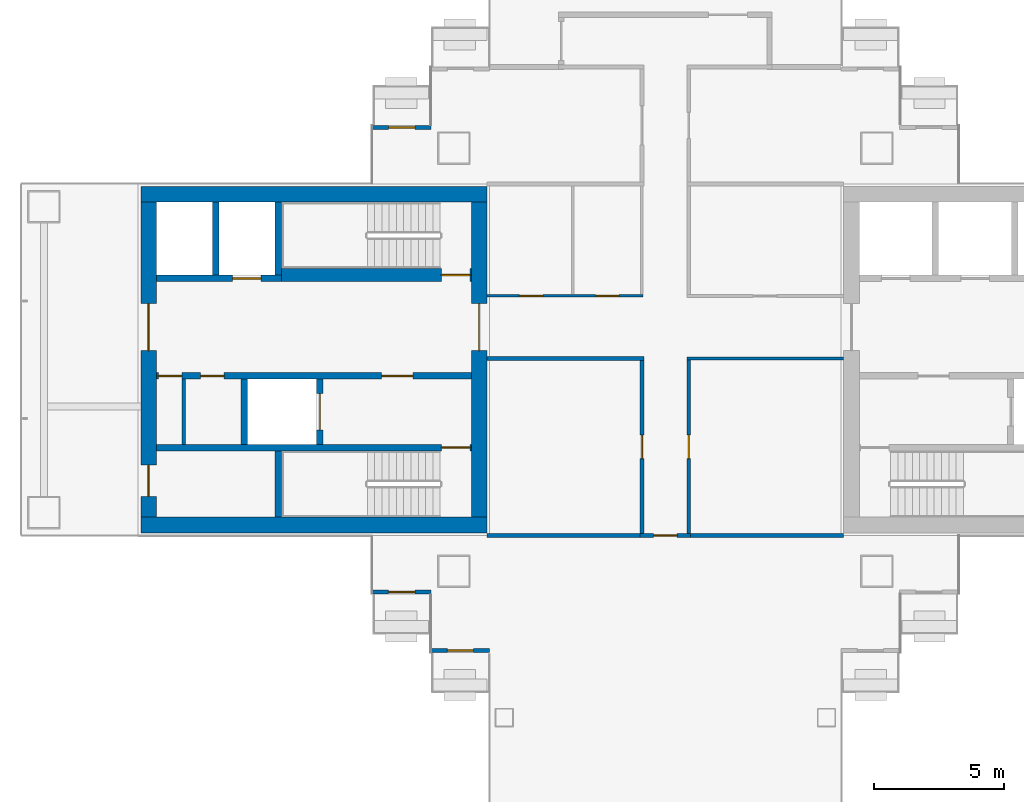
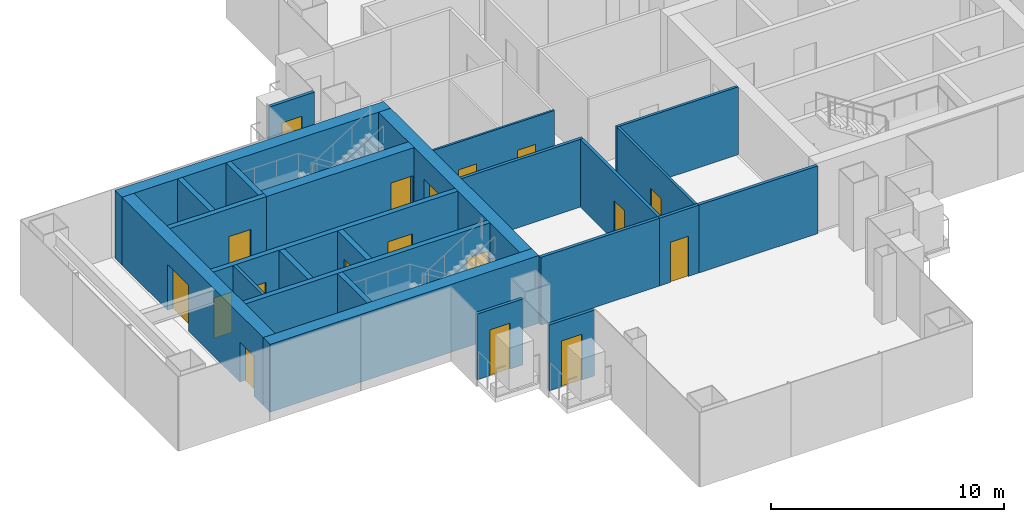
# One storey, part 12 of 20: 25 walls, 18 doors, 18 openings.
"""IFC4 building model written with IfcOpenShell, lengths in metres."""

from ifc_helpers import new_model, si_unit, direction, frame, frame_2d, origin, place, context, subcontext, project, spatial, rectangle, extrude, material, layer, layer_set, type_object, element, fill, save


model = new_model("IFC4")

# Units and contexts
model_context = context("Model", 3, precision=1e-05, world=origin(), true_north=direction((0.0, 1.0)))
body_context = subcontext(model_context, "Body", "Model", "MODEL_VIEW")
ifc_project = project(units=[si_unit("LENGTHUNIT", "METRE"), si_unit("AREAUNIT", "SQUARE_METRE"), si_unit("VOLUMEUNIT", "CUBIC_METRE"), si_unit("PLANEANGLEUNIT", "RADIAN"), si_unit("MASSUNIT", "GRAM", prefix="KILO")], contexts=[model_context])

# Site, building, storey
site_placement = place(None, origin())
site = spatial("IfcSite", under=ifc_project, at=site_placement, CompositionType="ELEMENT")
building_placement = place(site_placement, origin())
building = spatial("IfcBuilding", under=site, at=building_placement, Name="Shamsa Quay Exchange Towers", CompositionType="ELEMENT")
storey_placement = place(building_placement, frame((0.0, 0.0, 120.89990234375)))
storey = spatial("IfcBuildingStorey", under=building, at=storey_placement, Name="L28", CompositionType="ELEMENT", Elevation=120.89990234375)

# Wall, opening, door
ifc_material_1 = material(Name="Aluminium EN AW-6063 T6, black anodised, with black enamelled glass infill", Category="aluminium")
ifc_layer_1 = layer(ifc_material_1, 0.14990234375)
ifc_layer_set_1 = layer_set([ifc_layer_1], Name="BALCONY DOOR BAY WALL 150")
wall_type_1 = type_object("IfcWallType", Name="BALCONY DOOR BAY WALL 150", PredefinedType="SOLIDWALL", material=ifc_layer_set_1)
wall_1_placement = place(storey_placement, frame((-45.0, 8.925048828125, 0.0)))
wall_1 = element("IfcWall", 1, at=wall_1_placement, inside=storey, type_object=wall_type_1, Name="Door bay T1-PKWN L28", PredefinedType="SOLIDWALL", context=body_context, shape_type="SweptSolid", body=[
    extrude(rectangle(XDim=2.25, YDim=0.14990234375, at=frame_2d((1.125, 0.0))), origin(), (0.0, 0.0, 1.0), 3.4501953125),
])
opening_1_placement = place(wall_1_placement, frame((0.625, 0.0, 0.0)))
opening_1 = element("IfcOpeningElement", 2, at=opening_1_placement, cuts=wall_1, Name="Opening XD174", PredefinedType="OPENING", context=body_context, shape_type="SweptSolid", body=[
    extrude(rectangle(XDim=1.0, YDim=2.39990234375, at=frame_2d((0.5, 1.199951171875))), frame((0.0, 0.0849609375, 0.0), z_axis=(0.0, -1.0, 0.0), x_axis=(1.0, 0.0, 0.0)), (0.0, 0.0, 1.0), 0.169921875),
])
ifc_material_2 = material(Name="Aluminium EN AW-6063 T6, black anodised, with laminated glass leaf", Category="aluminium")
door_type_1 = type_object("IfcDoorType", Name="BALCONY DOOR 1000x2400", OperationType="SINGLE_SWING_LEFT", PredefinedType="DOOR", material=ifc_material_2)
door_1_placement = place(opening_1_placement, origin())
door_1 = element("IfcDoor", 3, at=door_1_placement, inside=storey, type_object=door_type_1, Name="Balcony door T1-PKWN L28", OperationType="SINGLE_SWING_RIGHT", OverallHeight=2.39990234375, OverallWidth=1.0, PredefinedType="DOOR", context=body_context, shape_type="SweptSolid", body=[
    extrude(rectangle(XDim=1.0, YDim=2.39990234375, at=frame_2d((0.5, 1.199951171875))), frame((0.0, 0.02490234375, 0.0), z_axis=(0.0, -1.0, 0.0), x_axis=(1.0, 0.0, 0.0)), (0.0, 0.0, 1.0), 0.050048828125),
])
fill(opening_1, door_1)

wall_2_placement = place(storey_placement, frame((-42.75, -8.925048828125, 0.0), z_axis=(0.0, 0.0, 1.0), x_axis=(-1.0, 0.0, 0.0)))
wall_2 = element("IfcWall", 4, at=wall_2_placement, inside=storey, type_object=wall_type_1, Name="Door bay T1-PKWS L28", PredefinedType="SOLIDWALL", context=body_context, shape_type="SweptSolid", body=[
    extrude(rectangle(XDim=2.25, YDim=0.14990234375, at=frame_2d((1.125, 0.0))), origin(), (0.0, 0.0, 1.0), 3.4501953125),
])
opening_2_placement = place(wall_2_placement, frame((0.625, 0.0, 0.0)))
opening_2 = element("IfcOpeningElement", 5, at=opening_2_placement, cuts=wall_2, Name="Opening XD175", PredefinedType="OPENING", context=body_context, shape_type="SweptSolid", body=[
    extrude(rectangle(XDim=1.0, YDim=2.39990234375, at=frame_2d((0.5, 1.199951171875))), frame((0.0, 0.0849609375, 0.0), z_axis=(0.0, -1.0, 0.0), x_axis=(1.0, 0.0, 0.0)), (0.0, 0.0, 1.0), 0.169921875),
])
door_2_placement = place(opening_2_placement, origin())
door_2 = element("IfcDoor", 6, at=door_2_placement, inside=storey, type_object=door_type_1, Name="Balcony door T1-PKWS L28", OperationType="SINGLE_SWING_LEFT", OverallHeight=2.39990234375, OverallWidth=1.0, PredefinedType="DOOR", context=body_context, shape_type="SweptSolid", body=[
    extrude(rectangle(XDim=1.0, YDim=2.39990234375, at=frame_2d((0.5, 1.199951171875))), frame((0.0, 0.02490234375, 0.0), z_axis=(0.0, -1.0, 0.0), x_axis=(1.0, 0.0, 0.0)), (0.0, 0.0, 1.0), 0.050048828125),
])
fill(opening_2, door_2)

wall_3_placement = place(storey_placement, frame((-40.5, -11.175048828125, 0.0), z_axis=(0.0, 0.0, 1.0), x_axis=(-1.0, 0.0, 0.0)))
wall_3 = element("IfcWall", 7, at=wall_3_placement, inside=storey, type_object=wall_type_1, Name="Door bay T1-PKWS L28", PredefinedType="SOLIDWALL", context=body_context, shape_type="SweptSolid", body=[
    extrude(rectangle(XDim=2.25, YDim=0.14990234375, at=frame_2d((1.125, 0.0))), origin(), (0.0, 0.0, 1.0), 3.4501953125),
])
opening_3_placement = place(wall_3_placement, frame((0.625, 0.0, 0.0)))
opening_3 = element("IfcOpeningElement", 8, at=opening_3_placement, cuts=wall_3, Name="Opening XD176", PredefinedType="OPENING", context=body_context, shape_type="SweptSolid", body=[
    extrude(rectangle(XDim=1.0, YDim=2.39990234375, at=frame_2d((0.5, 1.199951171875))), frame((0.0, 0.0849609375, 0.0), z_axis=(0.0, -1.0, 0.0), x_axis=(1.0, 0.0, 0.0)), (0.0, 0.0, 1.0), 0.169921875),
])
door_3_placement = place(opening_3_placement, origin())
door_3 = element("IfcDoor", 9, at=door_3_placement, inside=storey, type_object=door_type_1, Name="Balcony door T1-PKWS L28", OperationType="SINGLE_SWING_RIGHT", OverallHeight=2.39990234375, OverallWidth=1.0, PredefinedType="DOOR", context=body_context, shape_type="SweptSolid", body=[
    extrude(rectangle(XDim=1.0, YDim=2.39990234375, at=frame_2d((0.5, 1.199951171875))), frame((0.0, 0.02490234375, 0.0), z_axis=(0.0, -1.0, 0.0), x_axis=(1.0, 0.0, 0.0)), (0.0, 0.0, 1.0), 0.050048828125),
])
fill(opening_3, door_3)

# Walls
ifc_material_3 = material(Name="Concrete C70/85", Category="concrete")
ifc_layer_2 = layer(ifc_material_3, 0.60009765625)
ifc_layer_set_2 = layer_set([ifc_layer_2], Name="CORE WALL 600 C70/85")
wall_type_2 = type_object("IfcWallType", Name="CORE WALL 600 C70/85", PredefinedType="SHEAR", material=ifc_layer_set_2)
for number, where, z_axis, x_axis, name in (
    (10, (-40.60009765625, -6.35009765625, 0.0), (0.0, 0.0, 1.0), (-1.0, 0.0, 0.0), "Core wall T1B-R13-PS"),
    (11, (-40.60009765625, 6.35009765625, 0.0), (0.0, 0.0, 1.0), (-1.0, 0.0, 0.0), "Core wall T1B-R13-PN"),
):
    element("IfcWall", number, at=place(storey_placement, frame(where, z_axis=z_axis, x_axis=x_axis)), inside=storey, type_object=wall_type_2, Name=name, PredefinedType="SHEAR", context=body_context, shape_type="SweptSolid", body=[
        extrude(rectangle(XDim=13.2998046875, YDim=0.60009765625, at=frame_2d((6.64990234375, 0.0))), origin(), (0.0, 0.0, 1.0), 3.550048828125),
    ])

# Wall, opening, door
wall_4_placement = place(storey_placement, frame((-40.89990234375, -6.050048828125, 0.0), z_axis=(0.0, 0.0, 1.0), x_axis=(0.0, 1.0, 0.0)))
wall_4 = element("IfcWall", 12, at=wall_4_placement, inside=storey, type_object=wall_type_2, Name="Core wall T1B-R13-PF", PredefinedType="SHEAR", context=body_context, shape_type="SweptSolid", body=[
    extrude(rectangle(XDim=12.10009765625, YDim=0.60009765625, at=frame_2d((6.050048828125, 0.0))), origin(), (0.0, 0.0, 1.0), 3.550048828125),
])
opening_4_placement = place(wall_4_placement, frame((6.39990234375, 0.0, 0.0)))
opening_4 = element("IfcOpeningElement", 13, at=opening_4_placement, cuts=wall_4, Name="Opening T1B-R13-LBD01", PredefinedType="OPENING", context=body_context, shape_type="SweptSolid", body=[
    extrude(rectangle(XDim=1.800048828125, YDim=2.39990234375, at=frame_2d((0.89990234375, 1.199951171875))), frame((0.0, 0.31005859375, 0.0), z_axis=(0.0, -1.0, 0.0), x_axis=(1.0, 0.0, 0.0)), (0.0, 0.0, 1.0), 0.6201171875),
])
ifc_material_4 = material(Name="Steel, fire rated", Category="steel")
door_type_2 = type_object("IfcDoorType", Name="LIFT LOBBY DOOR PAIR 1800", OperationType="DOUBLE_DOOR_SINGLE_SWING", PredefinedType="DOOR", material=ifc_material_4)
door_4_placement = place(opening_4_placement, origin())
door_4 = element("IfcDoor", 14, at=door_4_placement, inside=storey, type_object=door_type_2, Name="T1B-R13-LBD01", OperationType="DOUBLE_DOOR_SINGLE_SWING", OverallHeight=2.39990234375, OverallWidth=1.800048828125, PredefinedType="DOOR", context=body_context, shape_type="SweptSolid", body=[
    extrude(rectangle(XDim=1.800048828125, YDim=2.39990234375, at=frame_2d((0.89990234375, 1.199951171875))), frame((0.0, 0.02490234375, 0.0), z_axis=(0.0, -1.0, 0.0), x_axis=(1.0, 0.0, 0.0)), (0.0, 0.0, 1.0), 0.050048828125),
])
fill(opening_4, door_4)

# Wall, openings, doors
wall_5_placement = place(storey_placement, frame((-53.60009765625, -6.050048828125, 0.0), z_axis=(0.0, 0.0, 1.0), x_axis=(0.0, 1.0, 0.0)))
wall_5 = element("IfcWall", 15, at=wall_5_placement, inside=storey, type_object=wall_type_2, Name="Core wall T1B-R13-PB", PredefinedType="SHEAR", context=body_context, shape_type="SweptSolid", body=[
    extrude(rectangle(XDim=12.10009765625, YDim=0.60009765625, at=frame_2d((6.050048828125, 0.0))), origin(), (0.0, 0.0, 1.0), 3.550048828125),
])
opening_5_placement = place(wall_5_placement, frame((0.800048828125, 0.0, 0.0)))
opening_5 = element("IfcOpeningElement", 16, at=opening_5_placement, cuts=wall_5, Name="Opening T1B-R13-RD02", PredefinedType="OPENING", context=body_context, shape_type="SweptSolid", body=[
    extrude(rectangle(XDim=1.199951171875, YDim=2.10009765625, at=frame_2d((0.60009765625, 1.050048828125))), frame((0.0, 0.31005859375, 0.0), z_axis=(0.0, -1.0, 0.0), x_axis=(1.0, 0.0, 0.0)), (0.0, 0.0, 1.0), 0.6201171875),
])
opening_6_placement = place(wall_5_placement, frame((6.39990234375, 0.0, 0.0)))
opening_6 = element("IfcOpeningElement", 17, at=opening_6_placement, cuts=wall_5, Name="Opening T1B-R13-LBD03", PredefinedType="OPENING", context=body_context, shape_type="SweptSolid", body=[
    extrude(rectangle(XDim=1.800048828125, YDim=2.39990234375, at=frame_2d((0.89990234375, 1.199951171875))), frame((0.0, 0.31005859375, 0.0), z_axis=(0.0, -1.0, 0.0), x_axis=(1.0, 0.0, 0.0)), (0.0, 0.0, 1.0), 0.6201171875),
])
door_5_placement = place(opening_6_placement, origin())
door_5 = element("IfcDoor", 18, at=door_5_placement, inside=storey, type_object=door_type_2, Name="T1B-R13-LBD03", OperationType="DOUBLE_DOOR_SINGLE_SWING", OverallHeight=2.39990234375, OverallWidth=1.800048828125, PredefinedType="DOOR", context=body_context, shape_type="SweptSolid", body=[
    extrude(rectangle(XDim=1.800048828125, YDim=2.39990234375, at=frame_2d((0.89990234375, 1.199951171875))), frame((0.0, 0.02490234375, 0.0), z_axis=(0.0, -1.0, 0.0), x_axis=(1.0, 0.0, 0.0)), (0.0, 0.0, 1.0), 0.050048828125),
])
fill(opening_6, door_5)
door_type_3 = type_object("IfcDoorType", Name="RISER ACCESS DOOR 1200", OperationType="SINGLE_SWING_LEFT", PredefinedType="DOOR", material=ifc_material_4)
door_6_placement = place(opening_5_placement, origin())
door_6 = element("IfcDoor", 19, at=door_6_placement, inside=storey, type_object=door_type_3, Name="T1B-R13-RD02", OperationType="SINGLE_SWING_LEFT", OverallHeight=2.10009765625, OverallWidth=1.199951171875, PredefinedType="DOOR", context=body_context, shape_type="SweptSolid", body=[
    extrude(rectangle(XDim=1.199951171875, YDim=2.10009765625, at=frame_2d((0.60009765625, 1.050048828125))), frame((0.0, 0.02490234375, 0.0), z_axis=(0.0, -1.0, 0.0), x_axis=(1.0, 0.0, 0.0)), (0.0, 0.0, 1.0), 0.050048828125),
])
fill(opening_5, door_6)

# Wall
ifc_material_5 = material(Name="Gypsum board on steel studs, EI 60", Category="steel")
ifc_layer_3 = layer(ifc_material_5, 0.14990234375)
ifc_layer_set_3 = layer_set([ifc_layer_3], Name="FIRE PARTITION 150")
wall_type_3 = type_object("IfcWallType", Name="FIRE PARTITION 150", PredefinedType="PARTITIONING", material=ifc_layer_set_3)
wall_6_placement = place(storey_placement, frame((-52.25, -3.25, 0.0), z_axis=(0.0, 0.0, 1.0), x_axis=(0.0, 1.0, 0.0)))
element("IfcWall", 20, at=wall_6_placement, inside=storey, type_object=wall_type_3, Name="Partition T1B-R13-EC0", PredefinedType="PARTITIONING", context=body_context, shape_type="SweptSolid", body=[
    extrude(rectangle(XDim=2.5, YDim=0.14990234375, at=frame_2d((1.25, 0.0))), origin(), (0.0, 0.0, 1.0), 3.550048828125),
])

# Wall, opening, door
ifc_material_6 = material(Name="Laminated fire-resisting glass in a metal frame", Category="glass")
ifc_layer_4 = layer(ifc_material_6, 0.125)
ifc_layer_set_4 = layer_set([ifc_layer_4], Name="Glazed partition 125 mm EI 60")
wall_type_4 = type_object("IfcWallType", Name="Glazed partition 125 mm EI 60", PredefinedType="PARTITIONING", material=ifc_layer_set_4)
wall_7_placement = place(storey_placement, frame((-32.849609375, -0.0126953125, 0.0), z_axis=(0.0, 0.0, 1.0), x_axis=(0.0, -1.0, 0.0)))
wall_7 = element("IfcWall", 21, at=wall_7_placement, inside=storey, type_object=wall_type_4, Name="Partition T1-R13-W02", PredefinedType="PARTITIONING", context=body_context, shape_type="SweptSolid", body=[
    extrude(rectangle(XDim=6.662353515625, YDim=0.125, at=frame_2d((3.3310546875, 0.0))), origin(), (0.0, 0.0, 1.0), 3.550048828125),
])
opening_7_placement = place(wall_7_placement, frame((2.887451171875, 0.0, 0.0)))
opening_7 = element("IfcOpeningElement", 22, at=opening_7_placement, cuts=wall_7, Name="Opening T1-R13-D07", PredefinedType="OPENING", context=body_context, shape_type="SweptSolid", body=[
    extrude(rectangle(XDim=0.89990234375, YDim=2.10009765625, at=frame_2d((0.449951171875, 1.050048828125))), frame((0.0, 0.072509765625, 0.0), z_axis=(0.0, -1.0, 0.0), x_axis=(1.0, 0.0, 0.0)), (0.0, 0.0, 1.0), 0.14501953125),
])
ifc_material_7 = material(Name="Timber door leaf in a metal frame", Category="wood")
door_type_4 = type_object("IfcDoorType", Name="Door 900x2100 FD30S", OperationType="NOTDEFINED", PredefinedType="DOOR", material=ifc_material_7)
door_7_placement = place(opening_7_placement, origin())
door_7 = element("IfcDoor", 23, at=door_7_placement, inside=storey, type_object=door_type_4, Name="Door T1-R13-D07", OperationType="SINGLE_SWING_LEFT", OverallHeight=2.10009765625, OverallWidth=0.89990234375, PredefinedType="DOOR", context=body_context, shape_type="SweptSolid", body=[
    extrude(rectangle(XDim=0.89990234375, YDim=2.10009765625, at=frame_2d((0.449951171875, 1.050048828125))), frame((0.0, 0.02490234375, 0.0), z_axis=(0.0, -1.0, 0.0), x_axis=(1.0, 0.0, 0.0)), (0.0, 0.0, 1.0), 0.050048828125),
])
fill(opening_7, door_7)

# Wall
wall_8_placement = place(storey_placement, frame((-26.89990234375, 0.0498046875, 0.0), z_axis=(0.0, 0.0, 1.0), x_axis=(-1.0, 0.0, 0.0)))
element("IfcWall", 24, at=wall_8_placement, inside=storey, type_object=wall_type_4, Name="Partition T1-R13-W04", PredefinedType="PARTITIONING", context=body_context, shape_type="SweptSolid", body=[
    extrude(rectangle(XDim=6.01220703125, YDim=0.125, at=frame_2d((3.006103515625, 0.0))), origin(), (0.0, 0.0, 1.0), 3.550048828125),
])

# Wall, openings, doors
ifc_material_8 = material(Name="Gypsum board partition on metal studs")
ifc_layer_5 = layer(ifc_material_8, 0.10009765625)
ifc_layer_set_5 = layer_set([ifc_layer_5], Name="Partition 100 mm NOT RATED")
wall_type_5 = type_object("IfcWallType", Name="Partition 100 mm NOT RATED", PredefinedType="PARTITIONING", material=ifc_layer_set_5)
wall_9_placement = place(storey_placement, frame((-40.60009765625, 2.4501953125, 0.0)))
wall_9 = element("IfcWall", 25, at=wall_9_placement, inside=storey, type_object=wall_type_5, Name="Partition T1-R13-W05", PredefinedType="PARTITIONING", context=body_context, shape_type="SweptSolid", body=[
    extrude(rectangle(XDim=5.999755859375, YDim=0.10009765625, at=frame_2d((3.0, 0.0))), origin(), (0.0, 0.0, 1.0), 3.550048828125),
])
opening_8_placement = place(wall_9_placement, frame((1.24365234375, 0.0, 0.0)))
opening_8 = element("IfcOpeningElement", 26, at=opening_8_placement, cuts=wall_9, Name="Opening T1-R13-D01", PredefinedType="OPENING", context=body_context, shape_type="SweptSolid", body=[
    extrude(rectangle(XDim=0.89990234375, YDim=2.10009765625, at=frame_2d((0.449951171875, 1.050048828125))), frame((0.0, 0.06005859375, 0.0), z_axis=(0.0, -1.0, 0.0), x_axis=(1.0, 0.0, 0.0)), (0.0, 0.0, 1.0), 0.1201171875),
])
opening_9_placement = place(wall_9_placement, frame((4.16845703125, 0.0, 0.0)))
opening_9 = element("IfcOpeningElement", 27, at=opening_9_placement, cuts=wall_9, Name="Opening T1-R13-D02", PredefinedType="OPENING", context=body_context, shape_type="SweptSolid", body=[
    extrude(rectangle(XDim=0.89990234375, YDim=2.10009765625, at=frame_2d((0.449951171875, 1.050048828125))), frame((0.0, 0.06005859375, 0.0), z_axis=(0.0, -1.0, 0.0), x_axis=(1.0, 0.0, 0.0)), (0.0, 0.0, 1.0), 0.1201171875),
])
door_type_5 = type_object("IfcDoorType", Name="Door 900x2100 NOT RATED", OperationType="NOTDEFINED", PredefinedType="DOOR", material=ifc_material_7)
door_8_placement = place(opening_8_placement, origin())
door_8 = element("IfcDoor", 28, at=door_8_placement, inside=storey, type_object=door_type_5, Name="Door T1-R13-D01", OperationType="SINGLE_SWING_LEFT", OverallHeight=2.10009765625, OverallWidth=0.89990234375, PredefinedType="DOOR", context=body_context, shape_type="SweptSolid", body=[
    extrude(rectangle(XDim=0.89990234375, YDim=2.10009765625, at=frame_2d((0.449951171875, 1.050048828125))), frame((0.0, 0.02490234375, 0.0), z_axis=(0.0, -1.0, 0.0), x_axis=(1.0, 0.0, 0.0)), (0.0, 0.0, 1.0), 0.050048828125),
])
fill(opening_8, door_8)
door_9_placement = place(opening_9_placement, origin())
door_9 = element("IfcDoor", 29, at=door_9_placement, inside=storey, type_object=door_type_5, Name="Door T1-R13-D02", OperationType="SINGLE_SWING_LEFT", OverallHeight=2.10009765625, OverallWidth=0.89990234375, PredefinedType="DOOR", context=body_context, shape_type="SweptSolid", body=[
    extrude(rectangle(XDim=0.89990234375, YDim=2.10009765625, at=frame_2d((0.449951171875, 1.050048828125))), frame((0.0, 0.02490234375, 0.0), z_axis=(0.0, -1.0, 0.0), x_axis=(1.0, 0.0, 0.0)), (0.0, 0.0, 1.0), 0.050048828125),
])
fill(opening_9, door_9)

# Wall, opening, door
ifc_layer_6 = layer(ifc_material_8, 0.14990234375)
ifc_layer_set_6 = layer_set([ifc_layer_6], Name="Partition 150 mm EI 60")
wall_type_6 = type_object("IfcWallType", Name="Partition 150 mm EI 60", PredefinedType="PARTITIONING", material=ifc_layer_set_6)
wall_10_placement = place(storey_placement, frame((-34.650390625, -6.675048828125, 0.0), z_axis=(0.0, 0.0, 1.0), x_axis=(0.0, 1.0, 0.0)))
wall_10 = element("IfcWall", 30, at=wall_10_placement, inside=storey, type_object=wall_type_6, Name="Partition T1-R13-W07", PredefinedType="PARTITIONING", context=body_context, shape_type="SweptSolid", body=[
    extrude(rectangle(XDim=6.64990234375, YDim=0.14990234375, at=frame_2d((3.324951171875, 0.0))), origin(), (0.0, 0.0, 1.0), 3.550048828125),
])
opening_10_placement = place(wall_10_placement, frame((2.875, 0.0, 0.0)))
opening_10 = element("IfcOpeningElement", 31, at=opening_10_placement, cuts=wall_10, Name="Opening T1-R13-D04", PredefinedType="OPENING", context=body_context, shape_type="SweptSolid", body=[
    extrude(rectangle(XDim=0.89990234375, YDim=2.10009765625, at=frame_2d((0.449951171875, 1.050048828125))), frame((0.0, 0.0849609375, 0.0), z_axis=(0.0, -1.0, 0.0), x_axis=(1.0, 0.0, 0.0)), (0.0, 0.0, 1.0), 0.169921875),
])
door_10_placement = place(opening_10_placement, origin())
door_10 = element("IfcDoor", 32, at=door_10_placement, inside=storey, type_object=door_type_4, Name="Door T1-R13-D04", OperationType="SINGLE_SWING_RIGHT", OverallHeight=2.10009765625, OverallWidth=0.89990234375, PredefinedType="DOOR", context=body_context, shape_type="SweptSolid", body=[
    extrude(rectangle(XDim=0.89990234375, YDim=2.10009765625, at=frame_2d((0.449951171875, 1.050048828125))), frame((0.0, 0.02490234375, 0.0), z_axis=(0.0, -1.0, 0.0), x_axis=(1.0, 0.0, 0.0)), (0.0, 0.0, 1.0), 0.050048828125),
])
fill(opening_10, door_10)

# Wall
wall_11_placement = place(storey_placement, frame((-34.575439453125, 0.0498046875, 0.0), z_axis=(0.0, 0.0, 1.0), x_axis=(-1.0, 0.0, 0.0)))
element("IfcWall", 33, at=wall_11_placement, inside=storey, type_object=wall_type_6, Name="Partition T1-R13-W09", PredefinedType="PARTITIONING", context=body_context, shape_type="SweptSolid", body=[
    extrude(rectangle(XDim=6.024658203125, YDim=0.14990234375, at=frame_2d((3.01220703125, 0.0))), origin(), (0.0, 0.0, 1.0), 3.550048828125),
])

# Wall, opening, door
wall_12_placement = place(storey_placement, frame((-32.787109375, -6.75, 0.0), z_axis=(0.0, 0.0, 1.0), x_axis=(-1.0, 0.0, 0.0)))
wall_12 = element("IfcWall", 34, at=wall_12_placement, inside=storey, type_object=wall_type_6, Name="Partition T1-R13-W16", PredefinedType="PARTITIONING", context=body_context, shape_type="SweptSolid", body=[
    extrude(rectangle(XDim=1.938232421875, YDim=0.14990234375, at=frame_2d((0.96923828125, 0.0))), origin(), (0.0, 0.0, 1.0), 3.550048828125),
])
opening_11_placement = place(wall_12_placement, frame((0.512939453125, 0.0, 0.0)))
opening_11 = element("IfcOpeningElement", 35, at=opening_11_placement, cuts=wall_12, Name="Opening T1-R13-D06", PredefinedType="OPENING", context=body_context, shape_type="SweptSolid", body=[
    extrude(rectangle(XDim=0.89990234375, YDim=2.10009765625, at=frame_2d((0.449951171875, 1.050048828125))), frame((0.0, 0.0849609375, 0.0), z_axis=(0.0, -1.0, 0.0), x_axis=(1.0, 0.0, 0.0)), (0.0, 0.0, 1.0), 0.169921875),
])
door_11_placement = place(opening_11_placement, origin())
door_11 = element("IfcDoor", 36, at=door_11_placement, inside=storey, type_object=door_type_4, Name="Door T1-R13-D06", OperationType="SINGLE_SWING_RIGHT", OverallHeight=2.10009765625, OverallWidth=0.89990234375, PredefinedType="DOOR", context=body_context, shape_type="SweptSolid", body=[
    extrude(rectangle(XDim=0.89990234375, YDim=2.10009765625, at=frame_2d((0.449951171875, 1.050048828125))), frame((0.0, 0.02490234375, 0.0), z_axis=(0.0, -1.0, 0.0), x_axis=(1.0, 0.0, 0.0)), (0.0, 0.0, 1.0), 0.050048828125),
])
fill(opening_11, door_11)

# Walls
wall_13_placement = place(storey_placement, frame((-40.60009765625, -6.75, 0.0)))
element("IfcWall", 37, at=wall_13_placement, inside=storey, type_object=wall_type_6, Name="Partition T1-R13-W20", PredefinedType="PARTITIONING", context=body_context, shape_type="SweptSolid", body=[
    extrude(rectangle(XDim=6.024658203125, YDim=0.14990234375, at=frame_2d((3.01220703125, 0.0))), origin(), (0.0, 0.0, 1.0), 3.550048828125),
])
wall_14_placement = place(storey_placement, frame((-32.912109375, -6.75, 0.0)))
element("IfcWall", 38, at=wall_14_placement, inside=storey, type_object=wall_type_6, Name="Partition T1-R13-W21", PredefinedType="PARTITIONING", context=body_context, shape_type="SweptSolid", body=[
    extrude(rectangle(XDim=6.01220703125, YDim=0.14990234375, at=frame_2d((3.006103515625, 0.0))), origin(), (0.0, 0.0, 1.0), 3.550048828125),
])

# Wall, opening, door
ifc_material_9 = material(Name="Concrete C50/60", Category="concrete")
ifc_layer_7 = layer(ifc_material_9, 0.25)
ifc_layer_set_7 = layer_set([ifc_layer_7], Name="SHAFT WALL 250 C50/60")
wall_type_7 = type_object("IfcWallType", Name="SHAFT WALL 250 C50/60", PredefinedType="SHEAR", material=ifc_layer_set_7)
wall_15_placement = place(storey_placement, frame((-41.199951171875, -3.375, 0.0), z_axis=(0.0, 0.0, 1.0), x_axis=(-1.0, 0.0, 0.0)))
wall_15 = element("IfcWall", 39, at=wall_15_placement, inside=storey, type_object=wall_type_7, Name="Shaft wall T1B-R13-STL", PredefinedType="SHEAR", context=body_context, shape_type="SweptSolid", body=[
    extrude(rectangle(XDim=12.10009765625, YDim=0.25, at=frame_2d((6.050048828125, 0.0))), origin(), (0.0, 0.0, 1.0), 3.550048828125),
])
opening_12_placement = place(wall_15_placement, frame((0.050048828125, 0.0, 0.0)))
opening_12 = element("IfcOpeningElement", 40, at=opening_12_placement, cuts=wall_15, Name="Opening T1B-R13-SD04", PredefinedType="OPENING", context=body_context, shape_type="SweptSolid", body=[
    extrude(rectangle(XDim=1.10009765625, YDim=2.10009765625, at=frame_2d((0.550048828125, 1.050048828125))), frame((0.0, 0.135009765625, 0.0), z_axis=(0.0, -1.0, 0.0), x_axis=(1.0, 0.0, 0.0)), (0.0, 0.0, 1.0), 0.27001953125),
])
door_type_6 = type_object("IfcDoorType", Name="STAIR DOOR 1100", OperationType="SINGLE_SWING_LEFT", PredefinedType="DOOR", material=ifc_material_4)
door_12_placement = place(opening_12_placement, origin())
door_12 = element("IfcDoor", 41, at=door_12_placement, inside=storey, type_object=door_type_6, Name="T1B-R13-SD04", OperationType="SINGLE_SWING_LEFT", OverallHeight=2.10009765625, OverallWidth=1.10009765625, PredefinedType="DOOR", context=body_context, shape_type="SweptSolid", body=[
    extrude(rectangle(XDim=1.10009765625, YDim=2.10009765625, at=frame_2d((0.550048828125, 1.050048828125))), frame((0.0, 0.02490234375, 0.0), z_axis=(0.0, -1.0, 0.0), x_axis=(1.0, 0.0, 0.0)), (0.0, 0.0, 1.0), 0.050048828125),
])
fill(opening_12, door_12)

# Wall
wall_16_placement = place(storey_placement, frame((-48.625, -6.050048828125, 0.0), z_axis=(0.0, 0.0, 1.0), x_axis=(0.0, 1.0, 0.0)))
element("IfcWall", 42, at=wall_16_placement, inside=storey, type_object=wall_type_7, Name="Shaft wall T1B-R13-STF", PredefinedType="SHEAR", context=body_context, shape_type="SweptSolid", body=[
    extrude(rectangle(XDim=2.550048828125, YDim=0.25, at=frame_2d((1.27490234375, 0.0))), origin(), (0.0, 0.0, 1.0), 3.550048828125),
])

# Wall, openings, doors
wall_17_placement = place(storey_placement, frame((-41.199951171875, -0.625, 0.0), z_axis=(0.0, 0.0, 1.0), x_axis=(-1.0, 0.0, 0.0)))
wall_17 = element("IfcWall", 43, at=wall_17_placement, inside=storey, type_object=wall_type_7, Name="Shaft wall T1B-R13-B", PredefinedType="SHEAR", context=body_context, shape_type="SweptSolid", body=[
    extrude(rectangle(XDim=12.10009765625, YDim=0.25, at=frame_2d((6.050048828125, 0.0))), origin(), (0.0, 0.0, 1.0), 3.550048828125),
])
opening_13_placement = place(wall_17_placement, frame((2.25, 0.0, 0.0)))
opening_13 = element("IfcOpeningElement", 44, at=opening_13_placement, cuts=wall_17, Name="Opening T1B-R13-FD05", PredefinedType="OPENING", context=body_context, shape_type="SweptSolid", body=[
    extrude(rectangle(XDim=1.199951171875, YDim=2.10009765625, at=frame_2d((0.60009765625, 1.050048828125))), frame((0.0, 0.135009765625, 0.0), z_axis=(0.0, -1.0, 0.0), x_axis=(1.0, 0.0, 0.0)), (0.0, 0.0, 1.0), 0.27001953125),
])
opening_14_placement = place(wall_17_placement, frame((9.5, 0.0, 0.0)))
opening_14 = element("IfcOpeningElement", 45, at=opening_14_placement, cuts=wall_17, Name="Opening T1B-R13-SV06", PredefinedType="OPENING", context=body_context, shape_type="SweptSolid", body=[
    extrude(rectangle(XDim=0.89990234375, YDim=2.10009765625, at=frame_2d((0.449951171875, 1.050048828125))), frame((0.0, 0.135009765625, 0.0), z_axis=(0.0, -1.0, 0.0), x_axis=(1.0, 0.0, 0.0)), (0.0, 0.0, 1.0), 0.27001953125),
])
opening_15_placement = place(wall_17_placement, frame((11.125, 0.0, 0.0)))
opening_15 = element("IfcOpeningElement", 46, at=opening_15_placement, cuts=wall_17, Name="Opening T1B-R13-SV07", PredefinedType="OPENING", context=body_context, shape_type="SweptSolid", body=[
    extrude(rectangle(XDim=0.89990234375, YDim=2.10009765625, at=frame_2d((0.449951171875, 1.050048828125))), frame((0.0, 0.135009765625, 0.0), z_axis=(0.0, -1.0, 0.0), x_axis=(1.0, 0.0, 0.0)), (0.0, 0.0, 1.0), 0.27001953125),
])
door_type_7 = type_object("IfcDoorType", Name="FIRE SERVICE LOBBY DOOR 1200", OperationType="SINGLE_SWING_LEFT", PredefinedType="DOOR", material=ifc_material_4)
door_13_placement = place(opening_13_placement, origin())
door_13 = element("IfcDoor", 47, at=door_13_placement, inside=storey, type_object=door_type_7, Name="T1B-R13-FD05", OperationType="SINGLE_SWING_LEFT", OverallHeight=2.10009765625, OverallWidth=1.199951171875, PredefinedType="DOOR", context=body_context, shape_type="SweptSolid", body=[
    extrude(rectangle(XDim=1.199951171875, YDim=2.10009765625, at=frame_2d((0.60009765625, 1.050048828125))), frame((0.0, 0.02490234375, 0.0), z_axis=(0.0, -1.0, 0.0), x_axis=(1.0, 0.0, 0.0)), (0.0, 0.0, 1.0), 0.050048828125),
])
fill(opening_13, door_13)
door_type_8 = type_object("IfcDoorType", Name="SERVICE ROOM DOOR 900", OperationType="SINGLE_SWING_LEFT", PredefinedType="DOOR", material=ifc_material_4)
door_14_placement = place(opening_14_placement, origin())
door_14 = element("IfcDoor", 48, at=door_14_placement, inside=storey, type_object=door_type_8, Name="T1B-R13-SV06", OperationType="SINGLE_SWING_RIGHT", OverallHeight=2.10009765625, OverallWidth=0.89990234375, PredefinedType="DOOR", context=body_context, shape_type="SweptSolid", body=[
    extrude(rectangle(XDim=0.89990234375, YDim=2.10009765625, at=frame_2d((0.449951171875, 1.050048828125))), frame((0.0, 0.02490234375, 0.0), z_axis=(0.0, -1.0, 0.0), x_axis=(1.0, 0.0, 0.0)), (0.0, 0.0, 1.0), 0.050048828125),
])
fill(opening_14, door_14)
door_15_placement = place(opening_15_placement, origin())
door_15 = element("IfcDoor", 49, at=door_15_placement, inside=storey, type_object=door_type_8, Name="T1B-R13-SV07", OperationType="SINGLE_SWING_RIGHT", OverallHeight=2.10009765625, OverallWidth=0.89990234375, PredefinedType="DOOR", context=body_context, shape_type="SweptSolid", body=[
    extrude(rectangle(XDim=0.89990234375, YDim=2.10009765625, at=frame_2d((0.449951171875, 1.050048828125))), frame((0.0, 0.02490234375, 0.0), z_axis=(0.0, -1.0, 0.0), x_axis=(1.0, 0.0, 0.0)), (0.0, 0.0, 1.0), 0.050048828125),
])
fill(opening_15, door_15)

# Wall, opening, door
wall_18_placement = place(storey_placement, frame((-47.02490234375, -3.25, 0.0), z_axis=(0.0, 0.0, 1.0), x_axis=(0.0, 1.0, 0.0)))
wall_18 = element("IfcWall", 50, at=wall_18_placement, inside=storey, type_object=wall_type_7, Name="Shaft wall T1B-R13-FFF", PredefinedType="SHEAR", context=body_context, shape_type="SweptSolid", body=[
    extrude(rectangle(XDim=2.5, YDim=0.25, at=frame_2d((1.25, 0.0))), origin(), (0.0, 0.0, 1.0), 3.550048828125),
])
opening_16_placement = place(wall_18_placement, frame((0.550048828125, 0.0, 0.0)))
opening_16 = element("IfcOpeningElement", 51, at=opening_16_placement, cuts=wall_18, Name="Opening T1B-R13-LDG08", PredefinedType="OPENING", context=body_context, shape_type="SweptSolid", body=[
    extrude(rectangle(XDim=1.39990234375, YDim=2.39990234375, at=frame_2d((0.699951171875, 1.199951171875))), frame((0.0, 0.135009765625, 0.0), z_axis=(0.0, -1.0, 0.0), x_axis=(1.0, 0.0, 0.0)), (0.0, 0.0, 1.0), 0.27001953125),
])
door_type_9 = type_object("IfcDoorType", Name="GOODS LIFT LANDING DOOR 1400", OperationType="SLIDING_TO_LEFT", PredefinedType="DOOR", material=ifc_material_4)
door_16_placement = place(opening_16_placement, origin())
door_16 = element("IfcDoor", 52, at=door_16_placement, inside=storey, type_object=door_type_9, Name="T1B-R13-LDG08", OperationType="SLIDING_TO_LEFT", OverallHeight=2.39990234375, OverallWidth=1.39990234375, PredefinedType="DOOR", context=body_context, shape_type="SweptSolid", body=[
    extrude(rectangle(XDim=1.39990234375, YDim=2.39990234375, at=frame_2d((0.699951171875, 1.199951171875))), frame((0.0, 0.02490234375, 0.0), z_axis=(0.0, -1.0, 0.0), x_axis=(1.0, 0.0, 0.0)), (0.0, 0.0, 1.0), 0.050048828125),
])
fill(opening_16, door_16)

# Wall
wall_19_placement = place(storey_placement, frame((-49.925048828125, -3.25, 0.0), z_axis=(0.0, 0.0, 1.0), x_axis=(0.0, 1.0, 0.0)))
element("IfcWall", 53, at=wall_19_placement, inside=storey, type_object=wall_type_7, Name="Shaft wall T1B-R13-FFB", PredefinedType="SHEAR", context=body_context, shape_type="SweptSolid", body=[
    extrude(rectangle(XDim=2.5, YDim=0.25, at=frame_2d((1.25, 0.0))), origin(), (0.0, 0.0, 1.0), 3.550048828125),
])

# Wall, opening, door
wall_20_placement = place(storey_placement, frame((-48.5, 3.125, 0.0), z_axis=(0.0, 0.0, 1.0), x_axis=(-1.0, 0.0, 0.0)))
wall_20 = element("IfcWall", 54, at=wall_20_placement, inside=storey, type_object=wall_type_7, Name="Shaft wall T1B-R13-N2", PredefinedType="SHEAR", context=body_context, shape_type="SweptSolid", body=[
    extrude(rectangle(XDim=4.800048828125, YDim=0.25, at=frame_2d((2.39990234375, 0.0))), origin(), (0.0, 0.0, 1.0), 3.550048828125),
])
opening_17_placement = place(wall_20_placement, frame((0.77490234375, 0.0, 0.0)))
opening_17 = element("IfcOpeningElement", 55, at=opening_17_placement, cuts=wall_20, Name="Opening T1B-R13-LD10", PredefinedType="OPENING", context=body_context, shape_type="SweptSolid", body=[
    extrude(rectangle(XDim=1.10009765625, YDim=2.10009765625, at=frame_2d((0.550048828125, 1.050048828125))), frame((0.0, 0.135009765625, 0.0), z_axis=(0.0, -1.0, 0.0), x_axis=(1.0, 0.0, 0.0)), (0.0, 0.0, 1.0), 0.27001953125),
])
door_type_10 = type_object("IfcDoorType", Name="LANDING DOOR 1100", OperationType="SLIDING_TO_LEFT", PredefinedType="DOOR", material=ifc_material_4)
door_17_placement = place(opening_17_placement, origin())
door_17 = element("IfcDoor", 56, at=door_17_placement, inside=storey, type_object=door_type_10, Name="T1B-R13-LD10", OperationType="SLIDING_TO_LEFT", OverallHeight=2.10009765625, OverallWidth=1.10009765625, PredefinedType="DOOR", context=body_context, shape_type="SweptSolid", body=[
    extrude(rectangle(XDim=1.10009765625, YDim=2.10009765625, at=frame_2d((0.550048828125, 1.050048828125))), frame((0.0, 0.02490234375, 0.0), z_axis=(0.0, -1.0, 0.0), x_axis=(1.0, 0.0, 0.0)), (0.0, 0.0, 1.0), 0.050048828125),
])
fill(opening_17, door_17)

# Walls
for number, where, z_axis, x_axis, name in (
    (57, (-48.625, 3.25, 0.0), (0.0, 0.0, 1.0), (0.0, 1.0, 0.0), "Shaft wall T1B-R13-STF2"),
    (58, (-51.02490234375, 3.25, 0.0), (0.0, 0.0, 1.0), (0.0, 1.0, 0.0), "Shaft wall T1B-R13-D0"),
):
    element("IfcWall", number, at=place(storey_placement, frame(where, z_axis=z_axis, x_axis=x_axis)), inside=storey, type_object=wall_type_7, Name=name, PredefinedType="SHEAR", context=body_context, shape_type="SweptSolid", body=[
        extrude(rectangle(XDim=2.800048828125, YDim=0.25, at=frame_2d((1.39990234375, 0.0))), origin(), (0.0, 0.0, 1.0), 3.550048828125),
    ])

# Wall, opening, door
ifc_layer_8 = layer(ifc_material_9, 0.5)
ifc_layer_set_8 = layer_set([ifc_layer_8], Name="SHAFT WALL 500 C50/60")
wall_type_8 = type_object("IfcWallType", Name="SHAFT WALL 500 C50/60", PredefinedType="SHEAR", material=ifc_layer_set_8)
wall_21_placement = place(storey_placement, frame((-48.5, 3.25, 0.0)))
wall_21 = element("IfcWall", 59, at=wall_21_placement, inside=storey, type_object=wall_type_8, Name="Shaft wall T1B-R13-N", PredefinedType="SHEAR", context=body_context, shape_type="SweptSolid", body=[
    extrude(rectangle(XDim=7.300048828125, YDim=0.5, at=frame_2d((3.64990234375, 0.0))), origin(), (0.0, 0.0, 1.0), 3.550048828125),
])
opening_18_placement = place(wall_21_placement, frame((6.14990234375, 0.0, 0.0)))
opening_18 = element("IfcOpeningElement", 60, at=opening_18_placement, cuts=wall_21, Name="Opening T1B-R13-SD09", PredefinedType="OPENING", context=body_context, shape_type="SweptSolid", body=[
    extrude(rectangle(XDim=1.10009765625, YDim=2.10009765625, at=frame_2d((0.550048828125, 1.050048828125))), frame((0.0, 0.260009765625, 0.0), z_axis=(0.0, -1.0, 0.0), x_axis=(1.0, 0.0, 0.0)), (0.0, 0.0, 1.0), 0.52001953125),
])
door_18_placement = place(opening_18_placement, origin())
door_18 = element("IfcDoor", 61, at=door_18_placement, inside=storey, type_object=door_type_6, Name="T1B-R13-SD09", OperationType="SINGLE_SWING_RIGHT", OverallHeight=2.10009765625, OverallWidth=1.10009765625, PredefinedType="DOOR", context=body_context, shape_type="SweptSolid", body=[
    extrude(rectangle(XDim=1.10009765625, YDim=2.10009765625, at=frame_2d((0.550048828125, 1.050048828125))), frame((0.0, 0.02490234375, 0.0), z_axis=(0.0, -1.0, 0.0), x_axis=(1.0, 0.0, 0.0)), (0.0, 0.0, 1.0), 0.050048828125),
])
fill(opening_18, door_18)

save(model, "model.ifc")
